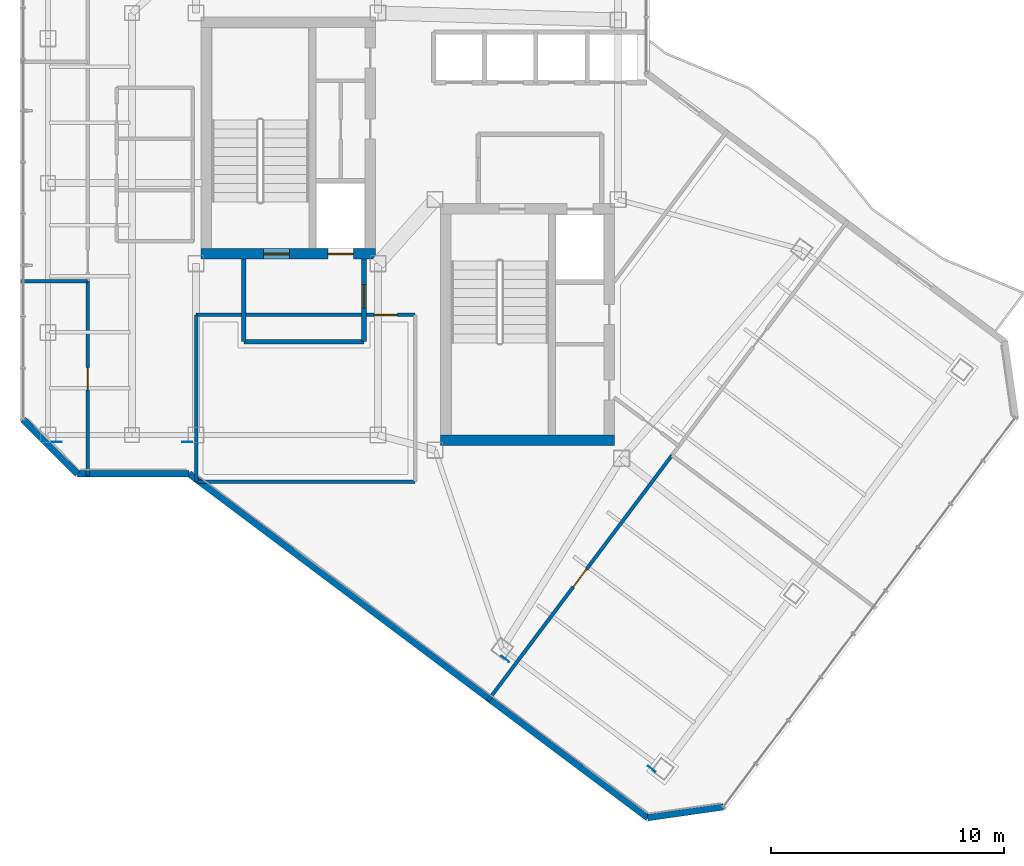
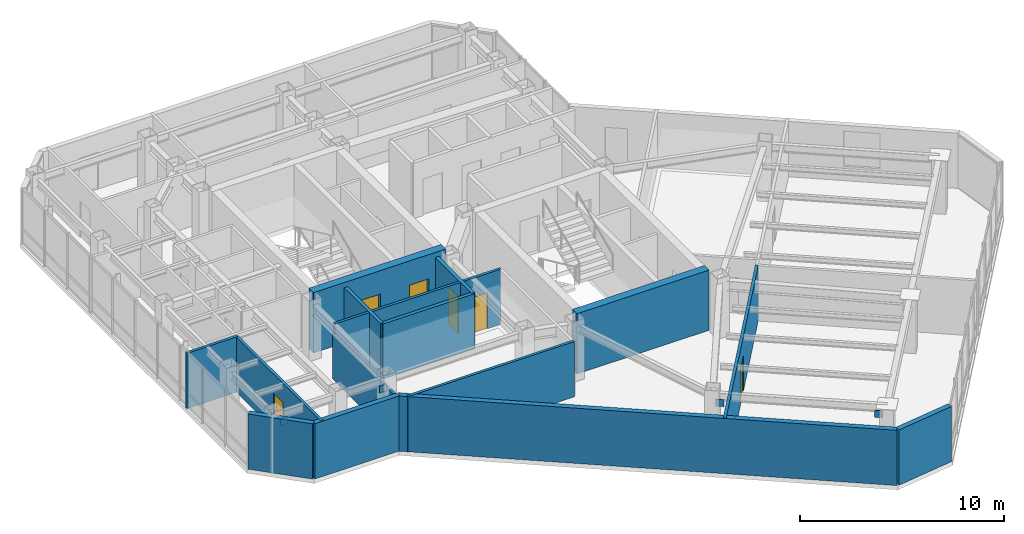
# One storey, part 19 of 25: 15 walls, 6 doors, 4 plates, 6 openings.
"""IFC4 building model written with IfcOpenShell, lengths in metres."""

from ifc_helpers import new_model, si_unit, direction, frame, frame_2d, origin, origin_2d, place, context, subcontext, project, spatial, rectangle, extrude, material, layer, layer_set, type_object, element, fill, save


model = new_model("IFC4")

# Units and contexts
model_context = context("Model", 3, precision=1e-05, world=origin(), true_north=direction((0.0, 1.0)))
body_context = subcontext(model_context, "Body", "Model", "MODEL_VIEW")
ifc_project = project(units=[si_unit("LENGTHUNIT", "METRE"), si_unit("AREAUNIT", "SQUARE_METRE"), si_unit("VOLUMEUNIT", "CUBIC_METRE"), si_unit("PLANEANGLEUNIT", "RADIAN"), si_unit("MASSUNIT", "GRAM", prefix="KILO")], contexts=[model_context])

# Site, building, storey
site_placement = place(None, origin())
site = spatial("IfcSite", under=ifc_project, at=site_placement, CompositionType="ELEMENT")
building_placement = place(site_placement, origin())
building = spatial("IfcBuilding", under=site, at=building_placement, Name="Hatsunagi Terrace Concourse", CompositionType="ELEMENT")
storey_placement = place(building_placement, frame((0.0, 0.0, 231.14990234375)))
storey = spatial("IfcBuildingStorey", under=building, at=storey_placement, Name="L61", CompositionType="ELEMENT", Elevation=231.14990234375)

# Plates
ifc_material_1 = material(Name="Steel SN490C", Category="steel")
ifc_layer_1 = layer(ifc_material_1, 0.031982421875)
ifc_layer_set_1 = layer_set([ifc_layer_1], Name="XBraceNodeCapPlate_32")
plate_type = type_object("IfcPlateType", Name="XBraceNodeCapPlate_32", PredefinedType="USERDEFINED", material=ifc_layer_set_1)
for number, where, z_axis, x_axis, name in (
    (1, (19.574951171875, 24.89990234375, 2.650146484375), (0.0, 0.0, 1.0), (1.0, 0.0, 0.0), "Cast-In Core and Node Embed Plate GP-02 EP-XB-L59-W1-AT"),
    (2, (25.175048828125, 24.89990234375, 2.650146484375), (0.0, 0.0, 1.0), (1.0, 0.0, 0.0), "Cast-In Core and Node Embed Plate GP-02 EP-XB-L59-W1-BT"),
    (3, (38.81201171875, 15.591064453125, 2.650146484375), (0.0, 0.0, 1.0), (0.799999996291, -0.600000004945, 0.0), "Cast-In Core and Node Embed Plate GP-02 EP-XB-L59-SE-AT"),
    (4, (45.092041015625, 10.881103515625, 2.650146484375), (0.0, 0.0, 1.0), (0.799999996291, -0.600000004945, 0.0), "Cast-In Core and Node Embed Plate GP-02 EP-XB-L59-SE-BT"),
):
    element("IfcPlate", number, at=place(storey_placement, frame(where, z_axis=z_axis, x_axis=x_axis)), inside=storey, type_object=plate_type, Name=name, ObjectType="GUSSET_PLATE", PredefinedType="USERDEFINED", context=body_context, shape_type="SweptSolid", body=[
        extrude(rectangle(XDim=0.419921875, YDim=0.031982421875, at=origin_2d()), origin(), (0.0, 0.0, 1.0), 0.419921875),
    ])

# Wall, openings, doors
ifc_material_2 = material(Name="Concrete Fc42", Category="concrete")
ifc_layer_2 = layer(ifc_material_2, 0.449951171875)
ifc_layer_set_2 = layer_set([ifc_layer_2], Name="CoreShearWall_Fc42_450")
wall_type_1 = type_object("IfcWallType", Name="CoreShearWall_Fc42_450", PredefinedType="SHEAR", material=ifc_layer_set_2)
wall_1_placement = place(storey_placement, frame((25.77001953125, 32.965087890625, 0.0), z_axis=(0.0, 0.0, 1.0), x_axis=(1.0, 0.0, 0.0)))
wall_1 = element("IfcWall", 5, at=wall_1_placement, inside=storey, type_object=wall_type_1, Name="Core A Shear Wall S L61", PredefinedType="SHEAR", context=body_context, shape_type="SweptSolid", body=[
    extrude(rectangle(XDim=7.47998046875, YDim=0.449951171875, at=frame_2d((3.739990234375, 0.0))), origin(), (0.0, 0.0, 1.0), 3.60009765625),
])
opening_1_placement = place(wall_1_placement, frame((2.679931640625, 0.0, 0.0)))
opening_1 = element("IfcOpeningElement", 6, at=opening_1_placement, cuts=wall_1, Name="Opening DR-110S", PredefinedType="OPENING", context=body_context, shape_type="SweptSolid", body=[
    extrude(rectangle(XDim=1.10009765625, YDim=2.199951171875, at=frame_2d((0.550048828125, 1.10009765625))), frame((0.0, 0.23486328125, 0.0), z_axis=(0.0, -1.0, 0.0), x_axis=(1.0, 0.0, 0.0)), (0.0, 0.0, 1.0), 0.469970703125),
])
opening_2_placement = place(wall_1_placement, frame((5.429931640625, 0.0, 0.0)))
opening_2 = element("IfcOpeningElement", 7, at=opening_2_placement, cuts=wall_1, Name="Opening LD-01", PredefinedType="OPENING", context=body_context, shape_type="SweptSolid", body=[
    extrude(rectangle(XDim=1.10009765625, YDim=2.14990234375, at=frame_2d((0.550048828125, 1.074951171875))), frame((0.0, 0.23486328125, 0.0), z_axis=(0.0, -1.0, 0.0), x_axis=(1.0, 0.0, 0.0)), (0.0, 0.0, 1.0), 0.469970703125),
])
ifc_material_3 = material(Name="Stainless steel", Category="steel")
door_type_1 = type_object("IfcDoorType", Name="LiftLandingDoor_LD01", OperationType="SLIDING_TO_LEFT", PredefinedType="USERDEFINED", material=ifc_material_3)
door_1_placement = place(opening_2_placement, origin())
door_1 = element("IfcDoor", 8, at=door_1_placement, inside=storey, type_object=door_type_1, Name="Lift landing door FF-01 L61", ObjectType="SLIDING_LANDING_DOOR", OperationType="SLIDING_TO_LEFT", OverallHeight=2.14990234375, OverallWidth=1.10009765625, PredefinedType="USERDEFINED", context=body_context, shape_type="SweptSolid", body=[
    extrude(rectangle(XDim=1.10009765625, YDim=2.14990234375, at=frame_2d((0.550048828125, 1.074951171875))), frame((0.0, 0.02490234375, 0.0), z_axis=(0.0, -1.0, 0.0), x_axis=(1.0, 0.0, 0.0)), (0.0, 0.0, 1.0), 0.050048828125),
])
fill(opening_2, door_1)
ifc_material_4 = material(Name="Painted steel", Category="steel")
door_type_2 = type_object("IfcDoorType", Name="StairFireDoor_EI60_1100", OperationType="NOTDEFINED", PredefinedType="DOOR", material=ifc_material_4)
door_2_placement = place(opening_1_placement, origin())
door_2 = element("IfcDoor", 9, at=door_2_placement, inside=storey, type_object=door_type_2, Name="Stair ST-A Exit Door L61", OperationType="SINGLE_SWING_LEFT", OverallHeight=2.199951171875, OverallWidth=1.10009765625, PredefinedType="DOOR", context=body_context, shape_type="SweptSolid", body=[
    extrude(rectangle(XDim=1.10009765625, YDim=2.199951171875, at=frame_2d((0.550048828125, 1.10009765625))), frame((0.0, 0.02490234375, 0.0), z_axis=(0.0, -1.0, 0.0), x_axis=(1.0, 0.0, 0.0)), (0.0, 0.0, 1.0), 0.050048828125),
])
fill(opening_1, door_2)

# Walls
wall_2_placement = place(storey_placement, frame((36.0400390625, 24.965087890625, 0.0), z_axis=(0.0, 0.0, 1.0), x_axis=(1.0, 0.0, 0.0)))
element("IfcWall", 10, at=wall_2_placement, inside=storey, type_object=wall_type_1, Name="Core B Shear Wall S L61", PredefinedType="SHEAR", context=body_context, shape_type="SweptSolid", body=[
    extrude(rectangle(XDim=7.4599609375, YDim=0.449951171875, at=frame_2d((3.72998046875, 0.0))), origin(), (0.0, 0.0, 1.0), 3.60009765625),
])
ifc_material_5 = material(Name="Acoustic mineral board", Category="gypsum")
ifc_layer_3 = layer(ifc_material_5, 0.14990234375)
ifc_layer_set_3 = layer_set([ifc_layer_3], Name="PartitionWall_EI60_150")
wall_type_2 = type_object("IfcWallType", Name="PartitionWall_EI60_150", PredefinedType="PARTITIONING", material=ifc_layer_set_3)
wall_3_placement = place(storey_placement, frame((25.550048828125, 23.199951171875, 0.0), z_axis=(0.0, 0.0, 1.0), x_axis=(1.0, 0.0, 0.0)))
element("IfcWall", 11, at=wall_3_placement, inside=storey, type_object=wall_type_2, Name="Interior Partition IW-L61-026", PredefinedType="PARTITIONING", context=body_context, shape_type="SweptSolid", body=[
    extrude(rectangle(XDim=9.39990234375, YDim=0.14990234375, at=frame_2d((4.699951171875, 0.0))), origin(), (0.0, 0.0, 1.0), 3.300048828125),
])

# Wall, opening, door
wall_4_placement = place(storey_placement, frame((25.550048828125, 30.35009765625, 0.0), z_axis=(0.0, 0.0, 1.0), x_axis=(1.0, 0.0, 0.0)))
wall_4 = element("IfcWall", 12, at=wall_4_placement, inside=storey, type_object=wall_type_2, Name="Interior Partition IW-L61-027", PredefinedType="PARTITIONING", context=body_context, shape_type="SweptSolid", body=[
    extrude(rectangle(XDim=9.39990234375, YDim=0.14990234375, at=frame_2d((4.699951171875, 0.0))), origin(), (0.0, 0.0, 1.0), 3.300048828125),
])
opening_3_placement = place(wall_4_placement, frame((7.637939453125, 0.0, 0.0)))
opening_3 = element("IfcOpeningElement", 13, at=opening_3_placement, cuts=wall_4, Name="Opening DR-100S", PredefinedType="OPENING", context=body_context, shape_type="SweptSolid", body=[
    extrude(rectangle(XDim=1.0, YDim=2.14990234375, at=frame_2d((0.5, 1.074951171875))), frame((0.0, 0.0849609375, 0.0), z_axis=(0.0, -1.0, 0.0), x_axis=(1.0, 0.0, 0.0)), (0.0, 0.0, 1.0), 0.169921875),
])
ifc_material_6 = material(Name="Hardwood timber", Category="wood")
door_type_3 = type_object("IfcDoorType", Name="SuiteDoor_EI30_1000", OperationType="NOTDEFINED", PredefinedType="DOOR", material=ifc_material_6)
door_3_placement = place(opening_3_placement, origin())
door_3 = element("IfcDoor", 14, at=door_3_placement, inside=storey, type_object=door_type_3, Name="Executive Office L61-RECL1 Door", OperationType="SINGLE_SWING_RIGHT", OverallHeight=2.14990234375, OverallWidth=1.0, PredefinedType="DOOR", context=body_context, shape_type="SweptSolid", body=[
    extrude(rectangle(XDim=1.0, YDim=2.14990234375, at=frame_2d((0.5, 1.074951171875))), frame((0.0, 0.02490234375, 0.0), z_axis=(0.0, -1.0, 0.0), x_axis=(1.0, 0.0, 0.0)), (0.0, 0.0, 1.0), 0.050048828125),
])
fill(opening_3, door_3)

# Walls
wall_5_placement = place(storey_placement, frame((25.550048828125, 23.199951171875, 0.0), z_axis=(0.0, 0.0, 1.0), x_axis=(0.0, 1.0, 0.0)))
element("IfcWall", 15, at=wall_5_placement, inside=storey, type_object=wall_type_2, Name="Interior Partition IW-L61-028", PredefinedType="PARTITIONING", context=body_context, shape_type="SweptSolid", body=[
    extrude(rectangle(XDim=7.150146484375, YDim=0.14990234375, at=frame_2d((3.5751953125, 0.0))), origin(), (0.0, 0.0, 1.0), 2.70703125),
])
wall_6_placement = place(storey_placement, frame((18.0400390625, 31.800048828125, 0.0), z_axis=(0.0, 0.0, 1.0), x_axis=(1.0, 0.0, 0.0)))
element("IfcWall", 16, at=wall_6_placement, inside=storey, type_object=wall_type_2, Name="Interior Partition IW-L61-030", PredefinedType="PARTITIONING", context=body_context, shape_type="SweptSolid", body=[
    extrude(rectangle(XDim=2.85986328125, YDim=0.14990234375, at=frame_2d((1.429931640625, 0.0))), origin(), (0.0, 0.0, 1.0), 3.300048828125),
])

# Wall, opening, door
wall_7_placement = place(storey_placement, frame((20.89990234375, 23.43994140625, 0.0), z_axis=(0.0, 0.0, 1.0), x_axis=(0.0, 1.0, 0.0)))
wall_7 = element("IfcWall", 17, at=wall_7_placement, inside=storey, type_object=wall_type_2, Name="Interior Partition IW-L61-031", PredefinedType="PARTITIONING", context=body_context, shape_type="SweptSolid", body=[
    extrude(rectangle(XDim=8.360107421875, YDim=0.14990234375, at=frame_2d((4.18017578125, 0.0))), origin(), (0.0, 0.0, 1.0), 3.300048828125),
])
opening_4_placement = place(wall_7_placement, frame((3.705078125, 0.0, 0.0)))
opening_4 = element("IfcOpeningElement", 18, at=opening_4_placement, cuts=wall_7, Name="Opening DR-095", PredefinedType="OPENING", context=body_context, shape_type="SweptSolid", body=[
    extrude(rectangle(XDim=0.949951171875, YDim=2.14990234375, at=frame_2d((0.47509765625, 1.074951171875))), frame((0.0, 0.0849609375, 0.0), z_axis=(0.0, -1.0, 0.0), x_axis=(1.0, 0.0, 0.0)), (0.0, 0.0, 1.0), 0.169921875),
])
ifc_material_7 = material(Name="Hardwood timber", Category="wood")
door_type_4 = type_object("IfcDoorType", Name="InteriorSuiteDoor_EI30_950", OperationType="NOTDEFINED", PredefinedType="DOOR", material=ifc_material_7)
door_4_placement = place(opening_4_placement, origin())
door_4 = element("IfcDoor", 19, at=door_4_placement, inside=storey, type_object=door_type_4, Name="Boardroom L61-OW1 Door", OperationType="SINGLE_SWING_RIGHT", OverallHeight=2.14990234375, OverallWidth=0.949951171875, PredefinedType="DOOR", context=body_context, shape_type="SweptSolid", body=[
    extrude(rectangle(XDim=0.949951171875, YDim=2.14990234375, at=frame_2d((0.47509765625, 1.074951171875))), frame((0.0, 0.02490234375, 0.0), z_axis=(0.0, -1.0, 0.0), x_axis=(1.0, 0.0, 0.0)), (0.0, 0.0, 1.0), 0.050048828125),
])
fill(opening_4, door_4)

wall_8_placement = place(storey_placement, frame((38.06396484375, 13.802001953125, 0.0), z_axis=(0.0, 0.0, 1.0), x_axis=(0.599997031734, 0.800002226191, 0.0)))
wall_8 = element("IfcWall", 20, at=wall_8_placement, inside=storey, type_object=wall_type_2, Name="Interior Partition IW-L61-041", PredefinedType="PARTITIONING", context=body_context, shape_type="SweptSolid", body=[
    extrude(rectangle(XDim=13.16015625, YDim=0.14990234375, at=frame_2d((6.580078125, 0.0))), origin(), (0.0, 0.0, 1.0), 3.300048828125),
])
opening_5_placement = place(wall_8_placement, frame((6.10498046875, 0.0, 0.0)))
opening_5 = element("IfcOpeningElement", 21, at=opening_5_placement, cuts=wall_8, Name="Opening DR-095", PredefinedType="OPENING", context=body_context, shape_type="SweptSolid", body=[
    extrude(rectangle(XDim=0.949951171875, YDim=2.14990234375, at=frame_2d((0.47509765625, 1.074951171875))), frame((0.0, 0.0849609375, 0.0), z_axis=(0.0, -1.0, 0.0), x_axis=(1.0, 0.0, 0.0)), (0.0, 0.0, 1.0), 0.169921875),
])
door_5_placement = place(opening_5_placement, origin())
door_5 = element("IfcDoor", 22, at=door_5_placement, inside=storey, type_object=door_type_4, Name="Design Studio L61-OSE1 Door", OperationType="SINGLE_SWING_RIGHT", OverallHeight=2.14990234375, OverallWidth=0.949951171875, PredefinedType="DOOR", context=body_context, shape_type="SweptSolid", body=[
    extrude(rectangle(XDim=0.949951171875, YDim=2.14990234375, at=frame_2d((0.47509765625, 1.074951171875))), frame((0.0, 0.02490234375, 0.0), z_axis=(0.0, -1.0, 0.0), x_axis=(1.0, 0.0, 0.0)), (0.0, 0.0, 1.0), 0.050048828125),
])
fill(opening_5, door_5)

# Walls
ifc_material_8 = material(Name="Acoustic mineral board", Category="gypsum")
ifc_layer_4 = layer(ifc_material_8, 0.199951171875)
ifc_layer_set_4 = layer_set([ifc_layer_4], Name="ShaftWall_EI120_200")
wall_type_3 = type_object("IfcWallType", Name="ShaftWall_EI120_200", PredefinedType="STANDARD", material=ifc_layer_set_4)
wall_9_placement = place(storey_placement, frame((27.60009765625, 29.199951171875, 0.0), z_axis=(0.0, 0.0, 1.0), x_axis=(1.0, 0.0, 0.0)))
element("IfcWall", 23, at=wall_9_placement, inside=storey, type_object=wall_type_3, Name="Interior Partition IW-L61-006", PredefinedType="STANDARD", context=body_context, shape_type="SweptSolid", body=[
    extrude(rectangle(XDim=5.14990234375, YDim=0.199951171875, at=frame_2d((2.574951171875, 0.0))), origin(), (0.0, 0.0, 1.0), 3.300048828125),
])
wall_10_placement = place(storey_placement, frame((27.60009765625, 29.199951171875, 0.0), z_axis=(0.0, 0.0, 1.0), x_axis=(0.0, 1.0, 0.0)))
element("IfcWall", 24, at=wall_10_placement, inside=storey, type_object=wall_type_3, Name="Interior Partition IW-L61-007", PredefinedType="STANDARD", context=body_context, shape_type="SweptSolid", body=[
    extrude(rectangle(XDim=3.5400390625, YDim=0.199951171875, at=frame_2d((1.77001953125, 0.0))), origin(), (0.0, 0.0, 1.0), 3.300048828125),
])

# Wall, opening, door
wall_11_placement = place(storey_placement, frame((32.75, 29.199951171875, 0.0), z_axis=(0.0, 0.0, 1.0), x_axis=(0.0, 1.0, 0.0)))
wall_11 = element("IfcWall", 25, at=wall_11_placement, inside=storey, type_object=wall_type_3, Name="Interior Partition IW-L61-008", PredefinedType="STANDARD", context=body_context, shape_type="SweptSolid", body=[
    extrude(rectangle(XDim=3.5400390625, YDim=0.199951171875, at=frame_2d((1.77001953125, 0.0))), origin(), (0.0, 0.0, 1.0), 3.300048828125),
])
opening_6_placement = place(wall_11_placement, frame((1.449951171875, 0.0, 0.0)))
opening_6 = element("IfcOpeningElement", 26, at=opening_6_placement, cuts=wall_11, Name="Opening DR-100F", PredefinedType="OPENING", context=body_context, shape_type="SweptSolid", body=[
    extrude(rectangle(XDim=1.0, YDim=2.199951171875, at=frame_2d((0.5, 1.10009765625))), frame((0.0, 0.10986328125, 0.0), z_axis=(0.0, -1.0, 0.0), x_axis=(1.0, 0.0, 0.0)), (0.0, 0.0, 1.0), 0.219970703125),
])
ifc_material_9 = material(Name="Painted steel", Category="steel")
door_type_5 = type_object("IfcDoorType", Name="FireDoor_EI60_1000", OperationType="NOTDEFINED", PredefinedType="DOOR", material=ifc_material_9)
door_6_placement = place(opening_6_placement, origin())
door_6 = element("IfcDoor", 27, at=door_6_placement, inside=storey, type_object=door_type_5, Name="Firefighting Lobby A Door L61", OperationType="SINGLE_SWING_RIGHT", OverallHeight=2.199951171875, OverallWidth=1.0, PredefinedType="DOOR", context=body_context, shape_type="SweptSolid", body=[
    extrude(rectangle(XDim=1.0, YDim=2.199951171875, at=frame_2d((0.5, 1.10009765625))), frame((0.0, 0.02490234375, 0.0), z_axis=(0.0, -1.0, 0.0), x_axis=(1.0, 0.0, 0.0)), (0.0, 0.0, 1.0), 0.050048828125),
])
fill(opening_6, door_6)

# Walls
ifc_material_10 = material(Name="Autoclaved Lightweight Concrete and Terracotta Cladding", Category="masonry")
ifc_layer_5 = layer(ifc_material_10, 0.280029296875)
ifc_layer_set_5 = layer_set([ifc_layer_5], Name="TerracottaSpandrelWall_280")
wall_type_4 = type_object("IfcWallType", Name="TerracottaSpandrelWall_280", PredefinedType="STANDARD", material=ifc_layer_set_5)
wall_12_placement = place(storey_placement, frame((48.1630859375, 9.25, 0.0), z_axis=(0.0, 0.0, 1.0), x_axis=(-0.989979263428, -0.141212810973, 0.0)))
element("IfcWall", 28, at=wall_12_placement, inside=storey, type_object=wall_type_4, Name="Exterior Spandrel Wall EW-L61-04", PredefinedType="STANDARD", context=body_context, shape_type="SweptSolid", body=[
    extrude(rectangle(XDim=3.278076171875, YDim=0.280029296875, at=frame_2d((1.63916015625, 0.0))), origin(), (0.0, 0.0, 1.0), 3.300048828125),
])
wall_13_placement = place(storey_placement, frame((44.91796875, 8.787109375, 0.0), z_axis=(0.0, 0.0, 1.0), x_axis=(-0.800004765927, 0.599993645378, 0.0)))
element("IfcWall", 29, at=wall_13_placement, inside=storey, type_object=wall_type_4, Name="Exterior Spandrel Wall EW-L61-05", PredefinedType="STANDARD", context=body_context, shape_type="SweptSolid", body=[
    extrude(rectangle(XDim=24.58837890625, YDim=0.280029296875, at=frame_2d((12.294189453125, 0.0))), origin(), (0.0, 0.0, 1.0), 3.300048828125),
])
wall_14_placement = place(storey_placement, frame((25.2470703125, 23.5400390625, 0.0), z_axis=(0.0, 0.0, 1.0), x_axis=(-1.0, 0.0, 0.0)))
element("IfcWall", 30, at=wall_14_placement, inside=storey, type_object=wall_type_4, Name="Exterior Spandrel Wall EW-L61-06", PredefinedType="STANDARD", context=body_context, shape_type="SweptSolid", body=[
    extrude(rectangle(XDim=4.7890625, YDim=0.280029296875, at=frame_2d((2.39453125, 0.0))), origin(), (0.0, 0.0, 1.0), 3.300048828125),
])
wall_15_placement = place(storey_placement, frame((20.4580078125, 23.5400390625, 0.0), z_axis=(0.0, 0.0, 1.0), x_axis=(-0.707144017911, 0.707069542501, 0.0)))
element("IfcWall", 31, at=wall_15_placement, inside=storey, type_object=wall_type_4, Name="Exterior Spandrel Wall EW-L61-07", PredefinedType="STANDARD", context=body_context, shape_type="SweptSolid", body=[
    extrude(rectangle(XDim=3.278076171875, YDim=0.280029296875, at=frame_2d((1.63916015625, 0.0))), origin(), (0.0, 0.0, 1.0), 3.300048828125),
])

save(model, "model.ifc")
